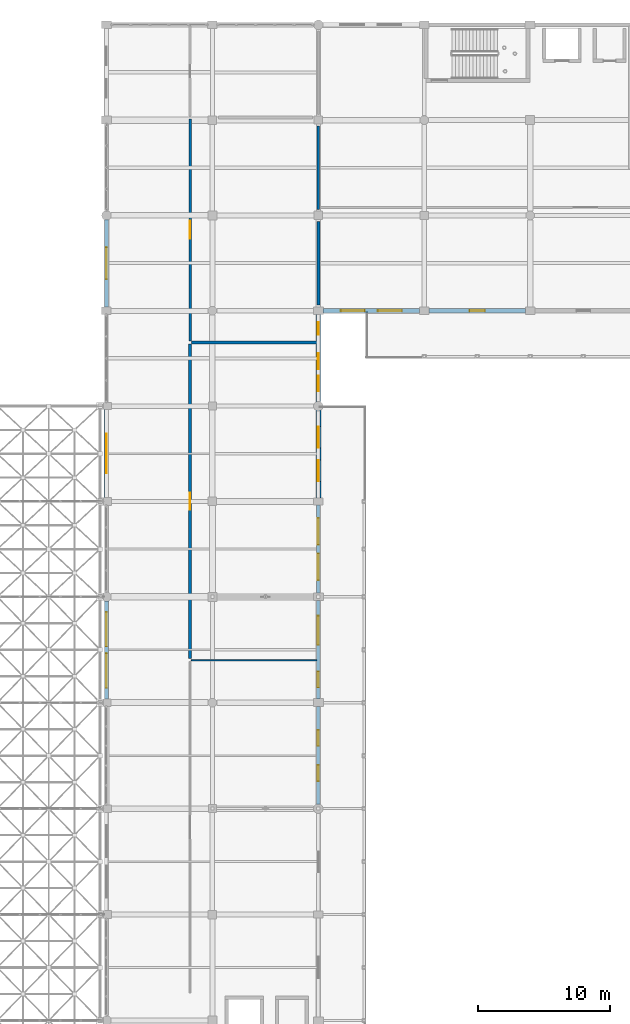
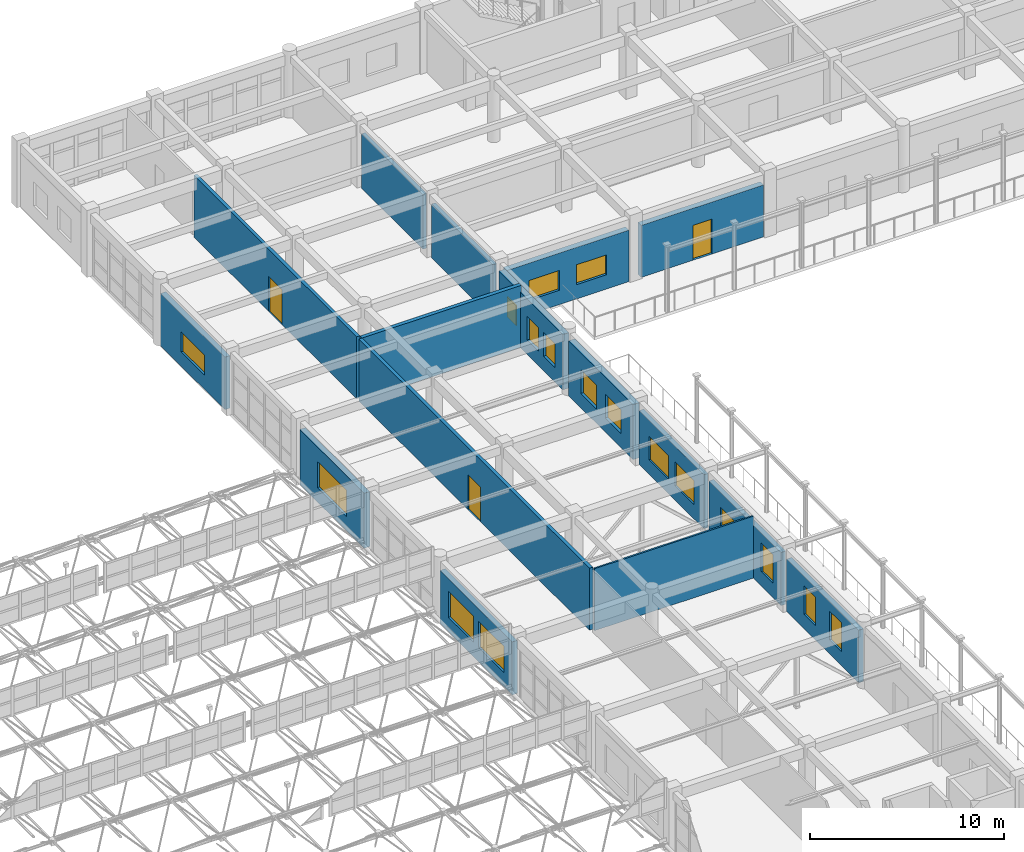
# One storey, part 169 of 195: 17 windows, 16 walls, 3 doors, 20 openings.
"""IFC4 building model written with IfcOpenShell, lengths in metres."""

from ifc_helpers import new_model, si_unit, direction, frame, frame_2d, origin, place, context, subcontext, project, spatial, rectangle, extrude, material, layer, layer_set, type_object, element, fill, save


model = new_model("IFC4")

# Units and contexts
model_context = context("Model", 3, precision=1e-05, world=origin(), true_north=direction((0.0, 1.0)))
body_context = subcontext(model_context, "Body", "Model", "MODEL_VIEW")
ifc_project = project(units=[si_unit("LENGTHUNIT", "METRE"), si_unit("AREAUNIT", "SQUARE_METRE"), si_unit("VOLUMEUNIT", "CUBIC_METRE"), si_unit("PLANEANGLEUNIT", "RADIAN"), si_unit("MASSUNIT", "GRAM", prefix="KILO")], contexts=[model_context])

# Site, building, storey
site_placement = place(None, origin())
site = spatial("IfcSite", under=ifc_project, at=site_placement, CompositionType="ELEMENT")
building_placement = place(site_placement, origin())
building = spatial("IfcBuilding", under=site, at=building_placement, Name="Kharva Crest Polytechnic", CompositionType="ELEMENT")
storey_placement = place(building_placement, frame((0.0, 0.0, 9.0)))
storey = spatial("IfcBuildingStorey", under=building, at=storey_placement, Name="L02", CompositionType="ELEMENT", Elevation=9.0)

# Wall, openings, windows
ifc_material_1 = material(Name="Kiln brick masonry", Category="masonry")
ifc_layer_1 = layer(ifc_material_1, 0.260009765625, Name="Kiln brick masonry")
ifc_layer_set_1 = layer_set([ifc_layer_1], Name="Kiln brick masonry")
wall_type_1 = type_object("IfcWallType", Name="WL-EXT-BRK-260", PredefinedType="SOLIDWALL", material=ifc_layer_set_1)
wall_1_placement = place(storey_placement, frame((48.0, 79.070068359375, 0.0), z_axis=(0.0, 0.0, 1.0), x_axis=(0.0, 1.0, 0.0)))
wall_1 = element("IfcWall", 1, at=wall_1_placement, inside=storey, type_object=wall_type_1, Name="L02 Exterior Brick Wall 260", PredefinedType="SOLIDWALL", context=body_context, shape_type="SweptSolid", body=[
    extrude(rectangle(XDim=6.659912109375, YDim=0.260009765625, at=frame_2d((3.330078125, 0.0))), origin(), (0.0, 0.0, 1.0), 3.39990234375),
])
opening_1_placement = place(wall_1_placement, frame((0.992919921875, 0.0, 0.89990234375)))
opening_1 = element("IfcOpeningElement", 2, at=opening_1_placement, cuts=wall_1, Name="Opening W12", PredefinedType="OPENING", context=body_context, shape_type="SweptSolid", body=[
    extrude(rectangle(XDim=2.0, YDim=1.5, at=frame_2d((1.0, 0.75))), frame((0.0, 0.139892578125, 0.0), z_axis=(0.0, -1.0, 0.0), x_axis=(1.0, 0.0, 0.0)), (0.0, 0.0, 1.0), 0.280029296875),
])
opening_2_placement = place(wall_1_placement, frame((3.6669921875, 0.0, 0.89990234375)))
opening_2 = element("IfcOpeningElement", 3, at=opening_2_placement, cuts=wall_1, Name="Opening W12", PredefinedType="OPENING", context=body_context, shape_type="SweptSolid", body=[
    extrude(rectangle(XDim=2.0, YDim=1.5, at=frame_2d((1.0, 0.75))), frame((0.0, 0.139892578125, 0.0), z_axis=(0.0, -1.0, 0.0), x_axis=(1.0, 0.0, 0.0)), (0.0, 0.0, 1.0), 0.280029296875),
])
ifc_material_2 = material(Name="Anodised aluminium", Category="aluminium")
window_type_1 = type_object("IfcWindowType", Name="WIN-ALU-2000X1500", PartitioningType="SINGLE_PANEL", PredefinedType="WINDOW", material=ifc_material_2)
window_1_placement = place(opening_1_placement, origin())
window_1 = element("IfcWindow", 4, at=window_1_placement, inside=storey, type_object=window_type_1, Name="L02 Exterior Window 345", OverallHeight=1.5, OverallWidth=2.0, PartitioningType="SINGLE_PANEL", PredefinedType="WINDOW", context=body_context, shape_type="SweptSolid", body=[
    extrude(rectangle(XDim=2.0, YDim=1.5, at=frame_2d((1.0, 0.75))), frame((0.0, 0.030029296875, 0.0), z_axis=(0.0, -1.0, 0.0), x_axis=(1.0, 0.0, 0.0)), (0.0, 0.0, 1.0), 0.06005859375),
])
fill(opening_1, window_1)
window_2_placement = place(opening_2_placement, origin())
window_2 = element("IfcWindow", 5, at=window_2_placement, inside=storey, type_object=window_type_1, Name="L02 Exterior Window 346", OverallHeight=1.5, OverallWidth=2.0, PartitioningType="SINGLE_PANEL", PredefinedType="WINDOW", context=body_context, shape_type="SweptSolid", body=[
    extrude(rectangle(XDim=2.0, YDim=1.5, at=frame_2d((1.0, 0.75))), frame((0.0, 0.030029296875, 0.0), z_axis=(0.0, -1.0, 0.0), x_axis=(1.0, 0.0, 0.0)), (0.0, 0.0, 1.0), 0.06005859375),
])
fill(opening_2, window_2)

ifc_layer_2 = layer(ifc_material_1, 0.27490234375, Name="Kiln brick masonry")
ifc_layer_set_2 = layer_set([ifc_layer_2], Name="Kiln brick masonry")
wall_type_2 = type_object("IfcWallType", Name="WL-EXT-BRK-275", PredefinedType="SOLIDWALL", material=ifc_layer_set_2)
wall_2_placement = place(storey_placement, frame((48.0, 71.094970703125, 0.0), z_axis=(0.0, 0.0, 1.0), x_axis=(0.0, 1.0, 0.0)))
wall_2 = element("IfcWall", 6, at=wall_2_placement, inside=storey, type_object=wall_type_2, Name="L02 Exterior Brick Wall 259", PredefinedType="SOLIDWALL", context=body_context, shape_type="SweptSolid", body=[
    extrude(rectangle(XDim=7.43505859375, YDim=0.27490234375, at=frame_2d((3.717529296875, 0.0))), origin(), (0.0, 0.0, 1.0), 3.340087890625),
])
opening_3_placement = place(wall_2_placement, frame((0.85302734375, 0.0, 0.89990234375)))
opening_3 = element("IfcOpeningElement", 7, at=opening_3_placement, cuts=wall_2, Name="Opening W08", PredefinedType="OPENING", context=body_context, shape_type="SweptSolid", body=[
    extrude(rectangle(XDim=1.199951171875, YDim=1.800048828125, at=frame_2d((0.60009765625, 0.89990234375))), frame((0.0, 0.1474609375, 0.0), z_axis=(0.0, -1.0, 0.0), x_axis=(1.0, 0.0, 0.0)), (0.0, 0.0, 1.0), 0.294921875),
])
opening_4_placement = place(wall_2_placement, frame((4.070068359375, 0.0, 0.89990234375)))
opening_4 = element("IfcOpeningElement", 8, at=opening_4_placement, cuts=wall_2, Name="Opening W11", PredefinedType="OPENING", context=body_context, shape_type="SweptSolid", body=[
    extrude(rectangle(XDim=2.199951171875, YDim=1.5, at=frame_2d((1.10009765625, 0.75))), frame((0.0, 0.1474609375, 0.0), z_axis=(0.0, -1.0, 0.0), x_axis=(1.0, 0.0, 0.0)), (0.0, 0.0, 1.0), 0.294921875),
])
window_type_2 = type_object("IfcWindowType", Name="WIN-ALU-1200X1800", PartitioningType="SINGLE_PANEL", PredefinedType="WINDOW", material=ifc_material_2)
window_3_placement = place(opening_3_placement, origin())
window_3 = element("IfcWindow", 9, at=window_3_placement, inside=storey, type_object=window_type_2, Name="L02 Exterior Window 343", OverallHeight=1.800048828125, OverallWidth=1.199951171875, PartitioningType="SINGLE_PANEL", PredefinedType="WINDOW", context=body_context, shape_type="SweptSolid", body=[
    extrude(rectangle(XDim=1.199951171875, YDim=1.800048828125, at=frame_2d((0.60009765625, 0.89990234375))), frame((0.0, 0.030029296875, 0.0), z_axis=(0.0, -1.0, 0.0), x_axis=(1.0, 0.0, 0.0)), (0.0, 0.0, 1.0), 0.06005859375),
])
fill(opening_3, window_3)
window_type_3 = type_object("IfcWindowType", Name="WIN-ALU-2200X1500", PartitioningType="SINGLE_PANEL", PredefinedType="WINDOW", material=ifc_material_2)
window_4_placement = place(opening_4_placement, origin())
window_4 = element("IfcWindow", 10, at=window_4_placement, inside=storey, type_object=window_type_3, Name="L02 Exterior Window 344", OverallHeight=1.5, OverallWidth=2.199951171875, PartitioningType="SINGLE_PANEL", PredefinedType="WINDOW", context=body_context, shape_type="SweptSolid", body=[
    extrude(rectangle(XDim=2.199951171875, YDim=1.5, at=frame_2d((1.10009765625, 0.75))), frame((0.0, 0.030029296875, 0.0), z_axis=(0.0, -1.0, 0.0), x_axis=(1.0, 0.0, 0.0)), (0.0, 0.0, 1.0), 0.06005859375),
])
fill(opening_4, window_4)

ifc_layer_3 = layer(ifc_material_1, 0.2900390625, Name="Kiln brick masonry")
ifc_layer_set_3 = layer_set([ifc_layer_3], Name="Kiln brick masonry")
wall_type_3 = type_object("IfcWallType", Name="WL-EXT-BRK-290", PredefinedType="SOLIDWALL", material=ifc_layer_set_3)
wall_3_placement = place(storey_placement, frame((48.0, 63.102294921875, 0.0), z_axis=(0.0, 0.0, 1.0), x_axis=(0.0, 1.0, 0.0)))
wall_3 = element("IfcWall", 11, at=wall_3_placement, inside=storey, type_object=wall_type_3, Name="L02 Exterior Brick Wall 258", PredefinedType="SOLIDWALL", context=body_context, shape_type="SweptSolid", body=[
    extrude(rectangle(XDim=7.402587890625, YDim=0.2900390625, at=frame_2d((3.701171875, 0.0))), origin(), (0.0, 0.0, 1.0), 3.300048828125),
])
opening_5_placement = place(wall_3_placement, frame((1.77392578125, 0.0, 0.89990234375)))
opening_5 = element("IfcOpeningElement", 12, at=opening_5_placement, cuts=wall_3, Name="Opening W08", PredefinedType="OPENING", context=body_context, shape_type="SweptSolid", body=[
    extrude(rectangle(XDim=1.199951171875, YDim=1.800048828125, at=frame_2d((0.60009765625, 0.89990234375))), frame((0.0, 0.155029296875, 0.0), z_axis=(0.0, -1.0, 0.0), x_axis=(1.0, 0.0, 0.0)), (0.0, 0.0, 1.0), 0.31005859375),
])
opening_6_placement = place(wall_3_placement, frame((4.427978515625, 0.0, 0.89990234375)))
opening_6 = element("IfcOpeningElement", 13, at=opening_6_placement, cuts=wall_3, Name="Opening W08", PredefinedType="OPENING", context=body_context, shape_type="SweptSolid", body=[
    extrude(rectangle(XDim=1.199951171875, YDim=1.800048828125, at=frame_2d((0.60009765625, 0.89990234375))), frame((0.0, 0.155029296875, 0.0), z_axis=(0.0, -1.0, 0.0), x_axis=(1.0, 0.0, 0.0)), (0.0, 0.0, 1.0), 0.31005859375),
])
window_5_placement = place(opening_5_placement, origin())
window_5 = element("IfcWindow", 14, at=window_5_placement, inside=storey, type_object=window_type_2, Name="L02 Exterior Window 341", OverallHeight=1.800048828125, OverallWidth=1.199951171875, PartitioningType="SINGLE_PANEL", PredefinedType="WINDOW", context=body_context, shape_type="SweptSolid", body=[
    extrude(rectangle(XDim=1.199951171875, YDim=1.800048828125, at=frame_2d((0.60009765625, 0.89990234375))), frame((0.0, 0.030029296875, 0.0), z_axis=(0.0, -1.0, 0.0), x_axis=(1.0, 0.0, 0.0)), (0.0, 0.0, 1.0), 0.06005859375),
])
fill(opening_5, window_5)
window_6_placement = place(opening_6_placement, origin())
window_6 = element("IfcWindow", 15, at=window_6_placement, inside=storey, type_object=window_type_2, Name="L02 Exterior Window 342", OverallHeight=1.800048828125, OverallWidth=1.199951171875, PartitioningType="SINGLE_PANEL", PredefinedType="WINDOW", context=body_context, shape_type="SweptSolid", body=[
    extrude(rectangle(XDim=1.199951171875, YDim=1.800048828125, at=frame_2d((0.60009765625, 0.89990234375))), frame((0.0, 0.030029296875, 0.0), z_axis=(0.0, -1.0, 0.0), x_axis=(1.0, 0.0, 0.0)), (0.0, 0.0, 1.0), 0.06005859375),
])
fill(opening_6, window_6)

ifc_layer_4 = layer(ifc_material_1, 0.304931640625, Name="Kiln brick masonry")
ifc_layer_set_4 = layer_set([ifc_layer_4], Name="Kiln brick masonry")
wall_type_4 = type_object("IfcWallType", Name="WL-EXT-BRK-305", PredefinedType="SOLIDWALL", material=ifc_layer_set_4)
wall_4_placement = place(storey_placement, frame((32.0, 78.49755859375, 0.0), z_axis=(0.0, 0.0, 1.0), x_axis=(0.0, -1.0, 0.0)))
wall_4 = element("IfcWall", 16, at=wall_4_placement, inside=storey, type_object=wall_type_4, Name="L02 Exterior Brick Wall 250", PredefinedType="SOLIDWALL", context=body_context, shape_type="SweptSolid", body=[
    extrude(rectangle(XDim=7.427490234375, YDim=0.304931640625, at=frame_2d((3.7138671875, 0.0))), origin(), (0.0, 0.0, 1.0), 3.340087890625),
])
opening_7_placement = place(wall_4_placement, frame((0.84912109375, 0.0, 0.89990234375)))
opening_7 = element("IfcOpeningElement", 17, at=opening_7_placement, cuts=wall_4, Name="Opening W24", PredefinedType="OPENING", context=body_context, shape_type="SweptSolid", body=[
    extrude(rectangle(XDim=2.60009765625, YDim=1.64990234375, at=frame_2d((1.300048828125, 0.824951171875))), frame((0.0, 0.162353515625, 0.0), z_axis=(0.0, -1.0, 0.0), x_axis=(1.0, 0.0, 0.0)), (0.0, 0.0, 1.0), 0.324951171875),
])
opening_8_placement = place(wall_4_placement, frame((3.97802734375, 0.0, 0.89990234375)))
opening_8 = element("IfcOpeningElement", 18, at=opening_8_placement, cuts=wall_4, Name="Opening W24", PredefinedType="OPENING", context=body_context, shape_type="SweptSolid", body=[
    extrude(rectangle(XDim=2.60009765625, YDim=1.64990234375, at=frame_2d((1.300048828125, 0.824951171875))), frame((0.0, 0.162353515625, 0.0), z_axis=(0.0, -1.0, 0.0), x_axis=(1.0, 0.0, 0.0)), (0.0, 0.0, 1.0), 0.324951171875),
])
window_type_4 = type_object("IfcWindowType", Name="WIN-ALU-2600X1650", PartitioningType="SINGLE_PANEL", PredefinedType="WINDOW", material=ifc_material_2)
window_7_placement = place(opening_7_placement, origin())
window_7 = element("IfcWindow", 19, at=window_7_placement, inside=storey, type_object=window_type_4, Name="L02 Exterior Window 333", OverallHeight=1.64990234375, OverallWidth=2.60009765625, PartitioningType="SINGLE_PANEL", PredefinedType="WINDOW", context=body_context, shape_type="SweptSolid", body=[
    extrude(rectangle(XDim=2.60009765625, YDim=1.64990234375, at=frame_2d((1.300048828125, 0.824951171875))), frame((0.0, 0.030029296875, 0.0), z_axis=(0.0, -1.0, 0.0), x_axis=(1.0, 0.0, 0.0)), (0.0, 0.0, 1.0), 0.06005859375),
])
fill(opening_7, window_7)
window_8_placement = place(opening_8_placement, origin())
window_8 = element("IfcWindow", 20, at=window_8_placement, inside=storey, type_object=window_type_4, Name="L02 Exterior Window 334", OverallHeight=1.64990234375, OverallWidth=2.60009765625, PartitioningType="SINGLE_PANEL", PredefinedType="WINDOW", context=body_context, shape_type="SweptSolid", body=[
    extrude(rectangle(XDim=2.60009765625, YDim=1.64990234375, at=frame_2d((1.300048828125, 0.824951171875))), frame((0.0, 0.030029296875, 0.0), z_axis=(0.0, -1.0, 0.0), x_axis=(1.0, 0.0, 0.0)), (0.0, 0.0, 1.0), 0.06005859375),
])
fill(opening_8, window_8)

# Wall, opening, window
wall_5_placement = place(storey_placement, frame((32.0, 107.297607421875, 0.0), z_axis=(0.0, 0.0, 1.0), x_axis=(0.0, -1.0, 0.0)))
wall_5 = element("IfcWall", 21, at=wall_5_placement, inside=storey, type_object=wall_type_4, Name="L02 Exterior Brick Wall 297", PredefinedType="SOLIDWALL", context=body_context, shape_type="SweptSolid", body=[
    extrude(rectangle(XDim=6.627685546875, YDim=0.304931640625, at=frame_2d((3.31396484375, 0.0))), origin(), (0.0, 0.0, 1.0), 3.300048828125),
])
opening_9_placement = place(wall_5_placement, frame((2.114013671875, 0.0, 0.89990234375)))
opening_9 = element("IfcOpeningElement", 22, at=opening_9_placement, cuts=wall_5, Name="Opening W17", PredefinedType="OPENING", context=body_context, shape_type="SweptSolid", body=[
    extrude(rectangle(XDim=2.39990234375, YDim=1.25, at=frame_2d((1.199951171875, 0.625))), frame((0.0, 0.162353515625, 0.0), z_axis=(0.0, -1.0, 0.0), x_axis=(1.0, 0.0, 0.0)), (0.0, 0.0, 1.0), 0.324951171875),
])
window_type_5 = type_object("IfcWindowType", Name="WIN-ALU-2400X1250", PartitioningType="SINGLE_PANEL", PredefinedType="WINDOW", material=ifc_material_2)
window_9_placement = place(opening_9_placement, origin())
window_9 = element("IfcWindow", 23, at=window_9_placement, inside=storey, type_object=window_type_5, Name="L02 Exterior Window 398", OverallHeight=1.25, OverallWidth=2.39990234375, PartitioningType="SINGLE_PANEL", PredefinedType="WINDOW", context=body_context, shape_type="SweptSolid", body=[
    extrude(rectangle(XDim=2.39990234375, YDim=1.25, at=frame_2d((1.199951171875, 0.625))), frame((0.0, 0.030029296875, 0.0), z_axis=(0.0, -1.0, 0.0), x_axis=(1.0, 0.0, 0.0)), (0.0, 0.0, 1.0), 0.06005859375),
])
fill(opening_9, window_9)

ifc_layer_5 = layer(ifc_material_1, 0.3349609375, Name="Kiln brick masonry")
ifc_layer_set_5 = layer_set([ifc_layer_5], Name="Kiln brick masonry")
wall_type_5 = type_object("IfcWallType", Name="WL-EXT-BRK-335", PredefinedType="SOLIDWALL", material=ifc_layer_set_5)
wall_6_placement = place(storey_placement, frame((32.0, 92.929931640625, 0.0), z_axis=(0.0, 0.0, 1.0), x_axis=(0.0, -1.0, 0.0)))
wall_6 = element("IfcWall", 24, at=wall_6_placement, inside=storey, type_object=wall_type_5, Name="L02 Exterior Brick Wall 249", PredefinedType="SOLIDWALL", context=body_context, shape_type="SweptSolid", body=[
    extrude(rectangle(XDim=6.635009765625, YDim=0.3349609375, at=frame_2d((3.3173828125, 0.0))), origin(), (0.0, 0.0, 1.0), 3.4599609375),
])
opening_10_placement = place(wall_6_placement, frame((1.818115234375, 0.0, 0.89990234375)))
opening_10 = element("IfcOpeningElement", 25, at=opening_10_placement, cuts=wall_6, Name="Opening W23", PredefinedType="OPENING", context=body_context, shape_type="SweptSolid", body=[
    extrude(rectangle(XDim=3.0, YDim=1.64990234375, at=frame_2d((1.5, 0.824951171875))), frame((0.0, 0.177490234375, 0.0), z_axis=(0.0, -1.0, 0.0), x_axis=(1.0, 0.0, 0.0)), (0.0, 0.0, 1.0), 0.35498046875),
])
window_type_6 = type_object("IfcWindowType", Name="WIN-ALU-3000X1650", PartitioningType="SINGLE_PANEL", PredefinedType="WINDOW", material=ifc_material_2)
window_10_placement = place(opening_10_placement, origin())
window_10 = element("IfcWindow", 26, at=window_10_placement, inside=storey, type_object=window_type_6, Name="L02 Exterior Window 332", OverallHeight=1.64990234375, OverallWidth=3.0, PartitioningType="SINGLE_PANEL", PredefinedType="WINDOW", context=body_context, shape_type="SweptSolid", body=[
    extrude(rectangle(XDim=3.0, YDim=1.64990234375, at=frame_2d((1.5, 0.824951171875))), frame((0.0, 0.030029296875, 0.0), z_axis=(0.0, -1.0, 0.0), x_axis=(1.0, 0.0, 0.0)), (0.0, 0.0, 1.0), 0.06005859375),
])
fill(opening_10, window_10)

# Wall, opening, door
wall_7_placement = place(storey_placement, frame((56.3701171875, 100.39990234375, 0.0), z_axis=(0.0, 0.0, 1.0), x_axis=(1.0, 0.0, 0.0)))
wall_7 = element("IfcWall", 27, at=wall_7_placement, inside=storey, type_object=wall_type_5, Name="L02 Exterior Brick Wall 264", PredefinedType="SOLIDWALL", context=body_context, shape_type="SweptSolid", body=[
    extrude(rectangle(XDim=7.27490234375, YDim=0.3349609375, at=frame_2d((3.637451171875, 0.0))), origin(), (0.0, 0.0, 1.0), 3.27001953125),
])
opening_11_placement = place(wall_7_placement, frame((3.06298828125, 0.0, 0.0)))
opening_11 = element("IfcOpeningElement", 28, at=opening_11_placement, cuts=wall_7, Name="Opening ED9", PredefinedType="OPENING", context=body_context, shape_type="SweptSolid", body=[
    extrude(rectangle(XDim=1.14990234375, YDim=2.199951171875, at=frame_2d((0.574951171875, 1.10009765625))), frame((0.0, 0.177490234375, 0.0), z_axis=(0.0, -1.0, 0.0), x_axis=(1.0, 0.0, 0.0)), (0.0, 0.0, 1.0), 0.35498046875),
])
door_type_1 = type_object("IfcDoorType", Name="DR-EXT-TER-1150X2200", OperationType="NOTDEFINED", PredefinedType="DOOR", material=ifc_material_2)
door_1_placement = place(opening_11_placement, frame((1.14990234375, 0.0, 0.0), z_axis=(0.0, 0.0, 1.0), x_axis=(-1.0, 0.0, 0.0)))
door_1 = element("IfcDoor", 29, at=door_1_placement, inside=storey, type_object=door_type_1, Name="L02 VER_N_L02 Access Door 46", OperationType="SINGLE_SWING_RIGHT", OverallHeight=2.199951171875, OverallWidth=1.14990234375, PredefinedType="DOOR", context=body_context, shape_type="SweptSolid", body=[
    extrude(rectangle(XDim=1.14990234375, YDim=2.199951171875, at=frame_2d((0.574951171875, 1.10009765625))), frame((0.0, 0.02490234375, 0.0), z_axis=(0.0, -1.0, 0.0), x_axis=(1.0, 0.0, 0.0)), (0.0, 0.0, 1.0), 0.050048828125),
])
fill(opening_11, door_1)

# Wall, openings, windows
ifc_layer_6 = layer(ifc_material_1, 0.35009765625, Name="Kiln brick masonry")
ifc_layer_set_6 = layer_set([ifc_layer_6], Name="Kiln brick masonry")
wall_type_6 = type_object("IfcWallType", Name="WL-EXT-BRK-350", PredefinedType="SOLIDWALL", material=ifc_layer_set_6)
wall_8_placement = place(storey_placement, frame((48.3701171875, 100.39990234375, 0.0), z_axis=(0.0, 0.0, 1.0), x_axis=(1.0, 0.0, 0.0)))
wall_8 = element("IfcWall", 30, at=wall_8_placement, inside=storey, type_object=wall_type_6, Name="L02 Exterior Brick Wall 263", PredefinedType="SOLIDWALL", context=body_context, shape_type="SweptSolid", body=[
    extrude(rectangle(XDim=7.259765625, YDim=0.35009765625, at=frame_2d((3.6298828125, 0.0))), origin(), (0.0, 0.0, 1.0), 3.239990234375),
])
opening_12_placement = place(wall_8_placement, frame((1.326904296875, 0.0, 0.89990234375)))
opening_12 = element("IfcOpeningElement", 31, at=opening_12_placement, cuts=wall_8, Name="Opening W19", PredefinedType="OPENING", context=body_context, shape_type="SweptSolid", body=[
    extrude(rectangle(XDim=1.800048828125, YDim=1.25, at=frame_2d((0.89990234375, 0.625))), frame((0.0, 0.18505859375, 0.0), z_axis=(0.0, -1.0, 0.0), x_axis=(1.0, 0.0, 0.0)), (0.0, 0.0, 1.0), 0.3701171875),
])
opening_13_placement = place(wall_8_placement, frame((4.133056640625, 0.0, 0.89990234375)))
opening_13 = element("IfcOpeningElement", 32, at=opening_13_placement, cuts=wall_8, Name="Opening W19", PredefinedType="OPENING", context=body_context, shape_type="SweptSolid", body=[
    extrude(rectangle(XDim=1.800048828125, YDim=1.25, at=frame_2d((0.89990234375, 0.625))), frame((0.0, 0.18505859375, 0.0), z_axis=(0.0, -1.0, 0.0), x_axis=(1.0, 0.0, 0.0)), (0.0, 0.0, 1.0), 0.3701171875),
])
window_type_7 = type_object("IfcWindowType", Name="WIN-ALU-1800X1250", PartitioningType="SINGLE_PANEL", PredefinedType="WINDOW", material=ifc_material_2)
window_11_placement = place(opening_12_placement, origin())
window_11 = element("IfcWindow", 33, at=window_11_placement, inside=storey, type_object=window_type_7, Name="L02 Exterior Window 352", OverallHeight=1.25, OverallWidth=1.800048828125, PartitioningType="SINGLE_PANEL", PredefinedType="WINDOW", context=body_context, shape_type="SweptSolid", body=[
    extrude(rectangle(XDim=1.800048828125, YDim=1.25, at=frame_2d((0.89990234375, 0.625))), frame((0.0, 0.030029296875, 0.0), z_axis=(0.0, -1.0, 0.0), x_axis=(1.0, 0.0, 0.0)), (0.0, 0.0, 1.0), 0.06005859375),
])
fill(opening_12, window_11)
window_12_placement = place(opening_13_placement, origin())
window_12 = element("IfcWindow", 34, at=window_12_placement, inside=storey, type_object=window_type_7, Name="L02 Exterior Window 353", OverallHeight=1.25, OverallWidth=1.800048828125, PartitioningType="SINGLE_PANEL", PredefinedType="WINDOW", context=body_context, shape_type="SweptSolid", body=[
    extrude(rectangle(XDim=1.800048828125, YDim=1.25, at=frame_2d((0.89990234375, 0.625))), frame((0.0, 0.030029296875, 0.0), z_axis=(0.0, -1.0, 0.0), x_axis=(1.0, 0.0, 0.0)), (0.0, 0.0, 1.0), 0.06005859375),
])
fill(opening_13, window_12)

ifc_layer_7 = layer(ifc_material_1, 0.364990234375, Name="Kiln brick masonry")
ifc_layer_set_7 = layer_set([ifc_layer_7], Name="Kiln brick masonry")
wall_type_7 = type_object("IfcWallType", Name="WL-EXT-BRK-365", PredefinedType="SOLIDWALL", material=ifc_layer_set_7)
wall_9_placement = place(storey_placement, frame((48.0, 93.50244140625, 0.0), z_axis=(0.0, 0.0, 1.0), x_axis=(0.0, 1.0, 0.0)))
wall_9 = element("IfcWall", 35, at=wall_9_placement, inside=storey, type_object=wall_type_7, Name="L02 Exterior Brick Wall 262", PredefinedType="SOLIDWALL", context=body_context, shape_type="SweptSolid", body=[
    extrude(rectangle(XDim=6.6025390625, YDim=0.364990234375, at=frame_2d((3.30126953125, 0.0))), origin(), (0.0, 0.0, 1.0), 3.47998046875),
])
opening_14_placement = place(wall_9_placement, frame((0.805908203125, 0.0, 0.89990234375)))
opening_14 = element("IfcOpeningElement", 36, at=opening_14_placement, cuts=wall_9, Name="Opening W16", PredefinedType="OPENING", context=body_context, shape_type="SweptSolid", body=[
    extrude(rectangle(XDim=1.199951171875, YDim=1.5, at=frame_2d((0.60009765625, 0.75))), frame((0.0, 0.1923828125, 0.0), z_axis=(0.0, -1.0, 0.0), x_axis=(1.0, 0.0, 0.0)), (0.0, 0.0, 1.0), 0.385009765625),
])
opening_15_placement = place(wall_9_placement, frame((2.491943359375, 0.0, 0.89990234375)))
opening_15 = element("IfcOpeningElement", 37, at=opening_15_placement, cuts=wall_9, Name="Opening W16", PredefinedType="OPENING", context=body_context, shape_type="SweptSolid", body=[
    extrude(rectangle(XDim=1.199951171875, YDim=1.5, at=frame_2d((0.60009765625, 0.75))), frame((0.0, 0.1923828125, 0.0), z_axis=(0.0, -1.0, 0.0), x_axis=(1.0, 0.0, 0.0)), (0.0, 0.0, 1.0), 0.385009765625),
])
opening_16_placement = place(wall_9_placement, frame((5.074951171875, 0.0, 0.89990234375)))
opening_16 = element("IfcOpeningElement", 38, at=opening_16_placement, cuts=wall_9, Name="Opening W22", PredefinedType="OPENING", context=body_context, shape_type="SweptSolid", body=[
    extrude(rectangle(XDim=0.949951171875, YDim=1.25, at=frame_2d((0.47509765625, 0.625))), frame((0.0, 0.1923828125, 0.0), z_axis=(0.0, -1.0, 0.0), x_axis=(1.0, 0.0, 0.0)), (0.0, 0.0, 1.0), 0.385009765625),
])
window_type_8 = type_object("IfcWindowType", Name="WIN-ALU-1200X1500", PartitioningType="SINGLE_PANEL", PredefinedType="WINDOW", material=ifc_material_2)
window_13_placement = place(opening_14_placement, origin())
window_13 = element("IfcWindow", 39, at=window_13_placement, inside=storey, type_object=window_type_8, Name="L02 Exterior Window 349", OverallHeight=1.5, OverallWidth=1.199951171875, PartitioningType="SINGLE_PANEL", PredefinedType="WINDOW", context=body_context, shape_type="SweptSolid", body=[
    extrude(rectangle(XDim=1.199951171875, YDim=1.5, at=frame_2d((0.60009765625, 0.75))), frame((0.0, 0.030029296875, 0.0), z_axis=(0.0, -1.0, 0.0), x_axis=(1.0, 0.0, 0.0)), (0.0, 0.0, 1.0), 0.06005859375),
])
fill(opening_14, window_13)
window_14_placement = place(opening_15_placement, origin())
window_14 = element("IfcWindow", 40, at=window_14_placement, inside=storey, type_object=window_type_8, Name="L02 Exterior Window 350", OverallHeight=1.5, OverallWidth=1.199951171875, PartitioningType="SINGLE_PANEL", PredefinedType="WINDOW", context=body_context, shape_type="SweptSolid", body=[
    extrude(rectangle(XDim=1.199951171875, YDim=1.5, at=frame_2d((0.60009765625, 0.75))), frame((0.0, 0.030029296875, 0.0), z_axis=(0.0, -1.0, 0.0), x_axis=(1.0, 0.0, 0.0)), (0.0, 0.0, 1.0), 0.06005859375),
])
fill(opening_15, window_14)
window_type_9 = type_object("IfcWindowType", Name="WIN-ALU-950X1250", PartitioningType="SINGLE_PANEL", PredefinedType="WINDOW", material=ifc_material_2)
window_15_placement = place(opening_16_placement, origin())
window_15 = element("IfcWindow", 41, at=window_15_placement, inside=storey, type_object=window_type_9, Name="L02 Exterior Window 351", OverallHeight=1.25, OverallWidth=0.949951171875, PartitioningType="SINGLE_PANEL", PredefinedType="WINDOW", context=body_context, shape_type="SweptSolid", body=[
    extrude(rectangle(XDim=0.949951171875, YDim=1.25, at=frame_2d((0.47509765625, 0.625))), frame((0.0, 0.030029296875, 0.0), z_axis=(0.0, -1.0, 0.0), x_axis=(1.0, 0.0, 0.0)), (0.0, 0.0, 1.0), 0.06005859375),
])
fill(opening_16, window_15)

ifc_layer_8 = layer(ifc_material_1, 0.3798828125, Name="Kiln brick masonry")
ifc_layer_set_8 = layer_set([ifc_layer_8], Name="Kiln brick masonry")
wall_type_8 = type_object("IfcWallType", Name="WL-EXT-BRK-380", PredefinedType="SOLIDWALL", material=ifc_layer_set_8)
wall_10_placement = place(storey_placement, frame((48.0, 86.27001953125, 0.0), z_axis=(0.0, 0.0, 1.0), x_axis=(0.0, 1.0, 0.0)))
wall_10 = element("IfcWall", 42, at=wall_10_placement, inside=storey, type_object=wall_type_8, Name="L02 Exterior Brick Wall 261", PredefinedType="SOLIDWALL", context=body_context, shape_type="SweptSolid", body=[
    extrude(rectangle(XDim=6.627685546875, YDim=0.3798828125, at=frame_2d((3.31396484375, 0.0))), origin(), (0.0, 0.0, 1.0), 3.4599609375),
])
opening_17_placement = place(wall_10_placement, frame((1.2490234375, 0.0, 0.89990234375)))
opening_17 = element("IfcOpeningElement", 43, at=opening_17_placement, cuts=wall_10, Name="Opening W14", PredefinedType="OPENING", context=body_context, shape_type="SweptSolid", body=[
    extrude(rectangle(XDim=1.60009765625, YDim=1.5, at=frame_2d((0.800048828125, 0.75))), frame((0.0, 0.199951171875, 0.0), z_axis=(0.0, -1.0, 0.0), x_axis=(1.0, 0.0, 0.0)), (0.0, 0.0, 1.0), 0.39990234375),
])
opening_18_placement = place(wall_10_placement, frame((3.778076171875, 0.0, 0.89990234375)))
opening_18 = element("IfcOpeningElement", 44, at=opening_18_placement, cuts=wall_10, Name="Opening W14", PredefinedType="OPENING", context=body_context, shape_type="SweptSolid", body=[
    extrude(rectangle(XDim=1.60009765625, YDim=1.5, at=frame_2d((0.800048828125, 0.75))), frame((0.0, 0.199951171875, 0.0), z_axis=(0.0, -1.0, 0.0), x_axis=(1.0, 0.0, 0.0)), (0.0, 0.0, 1.0), 0.39990234375),
])
window_type_10 = type_object("IfcWindowType", Name="WIN-ALU-1600X1500", PartitioningType="SINGLE_PANEL", PredefinedType="WINDOW", material=ifc_material_2)
window_16_placement = place(opening_17_placement, origin())
window_16 = element("IfcWindow", 45, at=window_16_placement, inside=storey, type_object=window_type_10, Name="L02 Exterior Window 347", OverallHeight=1.5, OverallWidth=1.60009765625, PartitioningType="SINGLE_PANEL", PredefinedType="WINDOW", context=body_context, shape_type="SweptSolid", body=[
    extrude(rectangle(XDim=1.60009765625, YDim=1.5, at=frame_2d((0.800048828125, 0.75))), frame((0.0, 0.030029296875, 0.0), z_axis=(0.0, -1.0, 0.0), x_axis=(1.0, 0.0, 0.0)), (0.0, 0.0, 1.0), 0.06005859375),
])
fill(opening_17, window_16)
window_17_placement = place(opening_18_placement, origin())
window_17 = element("IfcWindow", 46, at=window_17_placement, inside=storey, type_object=window_type_10, Name="L02 Exterior Window 348", OverallHeight=1.5, OverallWidth=1.60009765625, PartitioningType="SINGLE_PANEL", PredefinedType="WINDOW", context=body_context, shape_type="SweptSolid", body=[
    extrude(rectangle(XDim=1.60009765625, YDim=1.5, at=frame_2d((0.800048828125, 0.75))), frame((0.0, 0.030029296875, 0.0), z_axis=(0.0, -1.0, 0.0), x_axis=(1.0, 0.0, 0.0)), (0.0, 0.0, 1.0), 0.06005859375),
])
fill(opening_18, window_17)

# Wall, opening, door
ifc_layer_9 = layer(ifc_material_1, 0.199951171875, Name="Kiln brick masonry")
ifc_layer_set_9 = layer_set([ifc_layer_9], Name="Kiln brick masonry")
wall_type_9 = type_object("IfcWallType", Name="WL-FIRE-FW1-200", PredefinedType="SOLIDWALL", material=ifc_layer_set_9)
wall_11_placement = place(storey_placement, frame((38.31005859375, 74.1201171875, 0.0), z_axis=(0.0, 0.0, 1.0), x_axis=(0.0, 1.0, 0.0)))
wall_11 = element("IfcWall", 47, at=wall_11_placement, inside=storey, type_object=wall_type_9, Name="L02 Interior Partition 201", PredefinedType="SOLIDWALL", context=body_context, shape_type="SweptSolid", body=[
    extrude(rectangle(XDim=23.769775390625, YDim=0.199951171875, at=frame_2d((11.884765625, 0.0))), origin(), (0.0, 0.0, 1.0), 3.89990234375),
])
opening_19_placement = place(wall_11_placement, frame((11.2451171875, 0.0, 0.0)))
opening_19 = element("IfcOpeningElement", 48, at=opening_19_placement, cuts=wall_11, Name="Opening ID7", PredefinedType="OPENING", context=body_context, shape_type="SweptSolid", body=[
    extrude(rectangle(XDim=1.280029296875, YDim=2.199951171875, at=frame_2d((0.64013671875, 1.10009765625))), frame((0.0, 0.10986328125, 0.0), z_axis=(0.0, -1.0, 0.0), x_axis=(1.0, 0.0, 0.0)), (0.0, 0.0, 1.0), 0.219970703125),
])
ifc_material_3 = material(Name="Teak timber", Category="wood")
door_type_2 = type_object("IfcDoorType", Name="DR-LAB-1280X2200", OperationType="NOTDEFINED", PredefinedType="DOOR", material=ifc_material_3)
door_2_placement = place(opening_19_placement, origin())
door_2 = element("IfcDoor", 49, at=door_2_placement, inside=storey, type_object=door_type_2, Name="L02 Industrial Automation Laboratory Door", OperationType="SINGLE_SWING_RIGHT", OverallHeight=2.199951171875, OverallWidth=1.280029296875, PredefinedType="DOOR", context=body_context, shape_type="SweptSolid", body=[
    extrude(rectangle(XDim=1.280029296875, YDim=2.199951171875, at=frame_2d((0.64013671875, 1.10009765625))), frame((0.0, 0.02490234375, 0.0), z_axis=(0.0, -1.0, 0.0), x_axis=(1.0, 0.0, 0.0)), (0.0, 0.0, 1.0), 0.050048828125),
])
fill(opening_19, door_2)

# Wall
ifc_layer_10 = layer(ifc_material_1, 0.10009765625, Name="Kiln brick masonry")
ifc_layer_set_10 = layer_set([ifc_layer_10], Name="Kiln brick masonry")
wall_type_10 = type_object("IfcWallType", Name="WL-PART-100", PredefinedType="PARTITIONING", material=ifc_layer_set_10)
wall_12_placement = place(storey_placement, frame((38.419921875, 74.0, 0.0), z_axis=(0.0, 0.0, 1.0), x_axis=(1.0, 0.0, 0.0)))
element("IfcWall", 50, at=wall_12_placement, inside=storey, type_object=wall_type_10, Name="L02 Interior Partition 198", PredefinedType="PARTITIONING", context=body_context, shape_type="SweptSolid", body=[
    extrude(rectangle(XDim=9.469970703125, YDim=0.10009765625, at=frame_2d((4.73486328125, 0.0))), origin(), (0.0, 0.0, 1.0), 3.89990234375),
])

# Wall, opening, door
ifc_layer_11 = layer(ifc_material_1, 0.18994140625, Name="Kiln brick masonry")
ifc_layer_set_11 = layer_set([ifc_layer_11], Name="Kiln brick masonry")
wall_type_11 = type_object("IfcWallType", Name="WL-PART-190", PredefinedType="PARTITIONING", material=ifc_layer_set_11)
wall_13_placement = place(storey_placement, frame((38.31005859375, 98.1201171875, 0.0), z_axis=(0.0, 0.0, 1.0), x_axis=(0.0, 1.0, 0.0)))
wall_13 = element("IfcWall", 51, at=wall_13_placement, inside=storey, type_object=wall_type_11, Name="L02 Interior Partition 203", PredefinedType="PARTITIONING", context=body_context, shape_type="SweptSolid", body=[
    extrude(rectangle(XDim=16.769775390625, YDim=0.18994140625, at=frame_2d((8.384765625, 0.0))), origin(), (0.0, 0.0, 1.0), 3.89990234375),
])
opening_20_placement = place(wall_13_placement, frame((7.7099609375, 0.0, 0.0)))
opening_20 = element("IfcOpeningElement", 52, at=opening_20_placement, cuts=wall_13, Name="Opening ID6", PredefinedType="OPENING", context=body_context, shape_type="SweptSolid", body=[
    extrude(rectangle(XDim=1.35009765625, YDim=2.199951171875, at=frame_2d((0.675048828125, 1.10009765625))), frame((0.0, 0.10498046875, 0.0), z_axis=(0.0, -1.0, 0.0), x_axis=(1.0, 0.0, 0.0)), (0.0, 0.0, 1.0), 0.2099609375),
])
door_type_3 = type_object("IfcDoorType", Name="DR-LAB-1350X2200", OperationType="NOTDEFINED", PredefinedType="DOOR", material=ifc_material_3)
door_3_placement = place(opening_20_placement, origin())
door_3 = element("IfcDoor", 53, at=door_3_placement, inside=storey, type_object=door_type_3, Name="L02 Sensor Networks Laboratory Door", OperationType="SINGLE_SWING_LEFT", OverallHeight=2.199951171875, OverallWidth=1.35009765625, PredefinedType="DOOR", context=body_context, shape_type="SweptSolid", body=[
    extrude(rectangle(XDim=1.35009765625, YDim=2.199951171875, at=frame_2d((0.675048828125, 1.10009765625))), frame((0.0, 0.02490234375, 0.0), z_axis=(0.0, -1.0, 0.0), x_axis=(1.0, 0.0, 0.0)), (0.0, 0.0, 1.0), 0.050048828125),
])
fill(opening_20, door_3)

# Walls
ifc_layer_12 = layer(ifc_material_1, 0.215087890625, Name="Kiln brick masonry")
ifc_layer_set_12 = layer_set([ifc_layer_12], Name="Kiln brick masonry")
wall_type_12 = type_object("IfcWallType", Name="WL-PART-215", PredefinedType="PARTITIONING", material=ifc_layer_set_12)
wall_14_placement = place(storey_placement, frame((48.0, 108.054931640625, 0.0), z_axis=(0.0, 0.0, 1.0), x_axis=(0.0, 1.0, 0.0)))
element("IfcWall", 54, at=wall_14_placement, inside=storey, type_object=wall_type_12, Name="L02 Interior Partition 205", PredefinedType="PARTITIONING", context=body_context, shape_type="SweptSolid", body=[
    extrude(rectangle(XDim=6.30517578125, YDim=0.215087890625, at=frame_2d((3.152587890625, 0.0))), origin(), (0.0, 0.0, 1.0), 3.43994140625),
])
ifc_layer_13 = layer(ifc_material_1, 0.22509765625, Name="Kiln brick masonry")
ifc_layer_set_13 = layer_set([ifc_layer_13], Name="Kiln brick masonry")
wall_type_13 = type_object("IfcWallType", Name="WL-PART-225", PredefinedType="PARTITIONING", material=ifc_layer_set_13)
wall_15_placement = place(storey_placement, frame((38.419921875, 98.0, 0.0), z_axis=(0.0, 0.0, 1.0), x_axis=(1.0, 0.0, 0.0)))
element("IfcWall", 55, at=wall_15_placement, inside=storey, type_object=wall_type_13, Name="L02 Interior Partition 200", PredefinedType="PARTITIONING", context=body_context, shape_type="SweptSolid", body=[
    extrude(rectangle(XDim=9.469970703125, YDim=0.22509765625, at=frame_2d((4.73486328125, 0.0))), origin(), (0.0, 0.0, 1.0), 3.89990234375),
])
wall_16_placement = place(storey_placement, frame((48.0, 100.830078125, 0.0), z_axis=(0.0, 0.0, 1.0), x_axis=(0.0, 1.0, 0.0)))
element("IfcWall", 56, at=wall_16_placement, inside=storey, type_object=wall_type_13, Name="L02 Interior Partition 204", PredefinedType="PARTITIONING", context=body_context, shape_type="SweptSolid", body=[
    extrude(rectangle(XDim=6.31494140625, YDim=0.22509765625, at=frame_2d((3.157470703125, 0.0))), origin(), (0.0, 0.0, 1.0), 3.39990234375),
])

save(model, "model.ifc")
